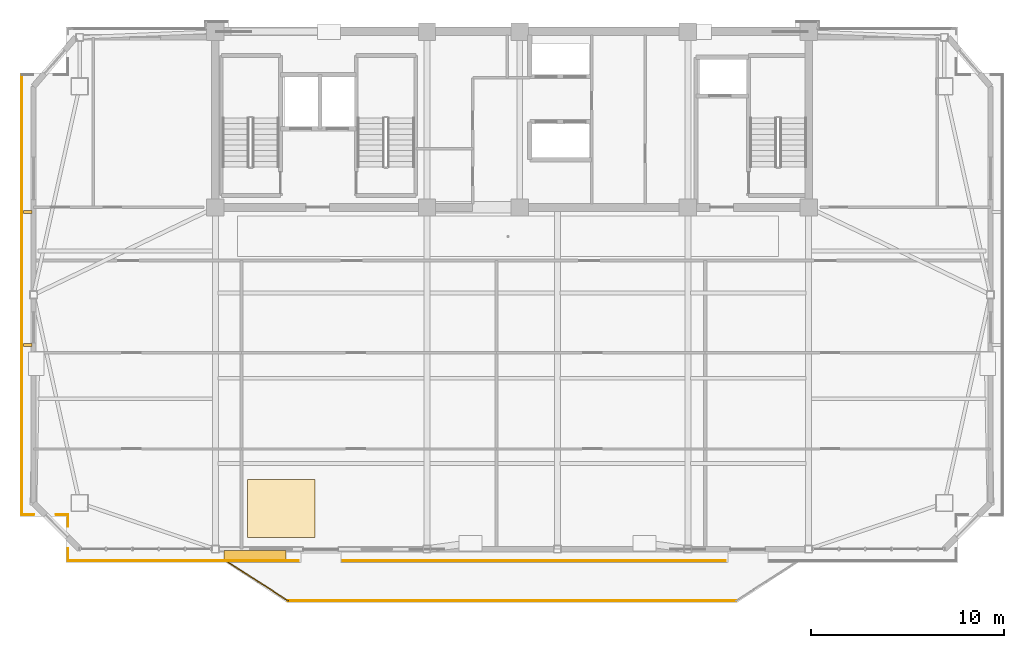
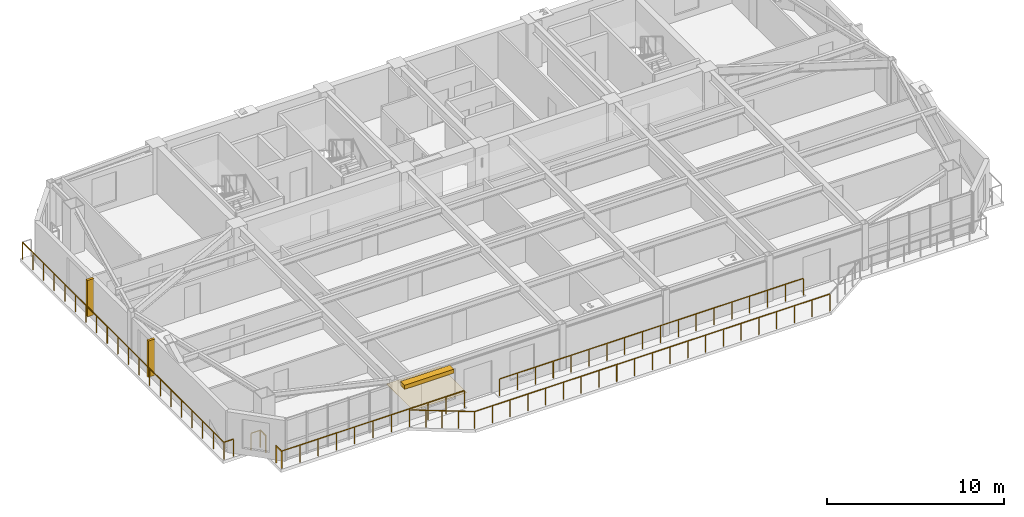
# One storey, part 10 of 13: 9 railings, 3 shading devices, 1 covering.
"""IFC4 building model written with IfcOpenShell, lengths in metres."""

from ifc_helpers import new_model, si_unit, direction, frame, origin, origin_2d, place, context, subcontext, project, spatial, polyline, rectangle, outline, extrude, source, transform, mapped, material, layer, layer_set, type_object, element, save


model = new_model("IFC4")

# Units and contexts
model_context = context("Model", 3, precision=1e-05, world=origin(), true_north=direction((0.0, 1.0)))
body_context = subcontext(model_context, "Body", "Model", "MODEL_VIEW")
ifc_project = project(units=[si_unit("LENGTHUNIT", "METRE"), si_unit("AREAUNIT", "SQUARE_METRE"), si_unit("VOLUMEUNIT", "CUBIC_METRE"), si_unit("PLANEANGLEUNIT", "RADIAN"), si_unit("MASSUNIT", "GRAM", prefix="KILO")], contexts=[model_context])

# Site, building, storey
site_placement = place(None, origin())
site = spatial("IfcSite", under=ifc_project, at=site_placement, CompositionType="ELEMENT")
building_placement = place(site_placement, origin())
building = spatial("IfcBuilding", under=site, at=building_placement, Name="Giltprow Tower", CompositionType="ELEMENT")
storey_placement = place(building_placement, frame((0.0, 0.0, 304.0)))
storey = spatial("IfcBuildingStorey", under=building, at=storey_placement, Name="L78", CompositionType="ELEMENT", Elevation=304.0)

# Covering
ifc_material_1 = material(Name="Engineered oak", Category="wood")
ifc_layer = layer(ifc_material_1, 0.02490234375, Name="Engineered oak")
ifc_layer_set = layer_set([ifc_layer], Name="Engineered oak")
covering_type = type_object("IfcCoveringType", Name="COV-FLR-TIMBER", PredefinedType="FLOORING", material=ifc_layer_set)
covering_placement = place(storey_placement, origin())
element("IfcCovering", 1, at=covering_placement, inside=storey, type_object=covering_type, Name="L78 Residence Oak Parquet Flooring", PredefinedType="FLOORING", context=body_context, shape_type="SweptSolid", body=[
    extrude(outline(polyline([(21.5, 20.3720703125), (25.0, 20.3720703125), (25.0, 23.3720703125), (21.5, 23.3720703125), (21.5, 20.3720703125)])), origin(), (0.0, 0.0, 1.0), 0.02490234375),
])

# Railings
ifc_material_2 = material(Name="Anodized bronze", Category="metal")
railing_type = type_object("IfcRailingType", Name="RAIL-BALC-GUARD-1200", PredefinedType="BALUSTRADE", material=ifc_material_2)
railing_1_placement = place(storey_placement, frame((20.52001953125, 19.072021484375, 0.0)))
element("IfcRailing", 2, at=railing_1_placement, inside=storey, type_object=railing_type, Name="L78 Waterfront Balcony Balustrade Seg 1", PredefinedType="BALUSTRADE", context=body_context, shape_type="SweptSolid", body=[
    extrude(rectangle(XDim=0.048095703125, YDim=0.048095703125, at=origin_2d()), frame((0.0, 0.0, 1.17578125), z_axis=(0.84277487735, -0.538266203757, 0.0), x_axis=(0.538266203757, 0.84277487735, 0.0)), (0.0, 0.0, 1.0), 3.678466796875),
    extrude(rectangle(XDim=0.0419921875, YDim=0.0419921875, at=origin_2d()), origin(), (0.0, 0.0, 1.0), 1.15185546875),
    extrude(rectangle(XDim=0.0419921875, YDim=0.0419921875, at=origin_2d()), frame((0.77490234375, -0.4951171875, 0.0)), (0.0, 0.0, 1.0), 1.15185546875),
    extrude(rectangle(XDim=0.0419921875, YDim=0.0419921875, at=origin_2d()), frame((1.550048828125, -0.989990234375, 0.0)), (0.0, 0.0, 1.0), 1.15185546875),
    extrude(rectangle(XDim=0.0419921875, YDim=0.0419921875, at=origin_2d()), frame((2.3251953125, -1.48486328125, 0.0)), (0.0, 0.0, 1.0), 1.15185546875),
    extrude(rectangle(XDim=0.0419921875, YDim=0.0419921875, at=origin_2d()), frame((3.10009765625, -1.97998046875, 0.0)), (0.0, 0.0, 1.0), 1.15185546875),
])
railing_2_placement = place(storey_placement, frame((23.6201171875, 17.092041015625, 0.0)))
element("IfcRailing", 3, at=railing_2_placement, inside=storey, type_object=railing_type, Name="L78 Waterfront Balcony Balustrade Seg 2", PredefinedType="BALUSTRADE", context=body_context, shape_type="SweptSolid", body=[
    extrude(rectangle(XDim=0.048095703125, YDim=0.048095703125, at=origin_2d()), frame((0.0, 0.0, 1.17578125), z_axis=(1.0, 0.0, 0.0), x_axis=(0.0, 1.0, 0.0)), (0.0, 0.0, 1.0), 23.159912109375),
    extrude(rectangle(XDim=0.0419921875, YDim=0.0419921875, at=origin_2d()), origin(), (0.0, 0.0, 1.0), 1.15185546875),
    extrude(rectangle(XDim=0.0419921875, YDim=0.0419921875, at=origin_2d()), frame((1.157958984375, 0.0, 0.0)), (0.0, 0.0, 1.0), 1.15185546875),
    extrude(rectangle(XDim=0.0419921875, YDim=0.0419921875, at=origin_2d()), frame((2.31591796875, 0.0, 0.0)), (0.0, 0.0, 1.0), 1.15185546875),
    extrude(rectangle(XDim=0.0419921875, YDim=0.0419921875, at=origin_2d()), frame((3.473876953125, 0.0, 0.0)), (0.0, 0.0, 1.0), 1.15185546875),
    extrude(rectangle(XDim=0.0419921875, YDim=0.0419921875, at=origin_2d()), frame((4.632080078125, 0.0, 0.0)), (0.0, 0.0, 1.0), 1.15185546875),
    extrude(rectangle(XDim=0.0419921875, YDim=0.0419921875, at=origin_2d()), frame((5.7900390625, 0.0, 0.0)), (0.0, 0.0, 1.0), 1.15185546875),
    extrude(rectangle(XDim=0.0419921875, YDim=0.0419921875, at=origin_2d()), frame((6.947998046875, 0.0, 0.0)), (0.0, 0.0, 1.0), 1.15185546875),
    extrude(rectangle(XDim=0.0419921875, YDim=0.0419921875, at=origin_2d()), frame((8.10595703125, 0.0, 0.0)), (0.0, 0.0, 1.0), 1.15185546875),
    extrude(rectangle(XDim=0.0419921875, YDim=0.0419921875, at=origin_2d()), frame((9.263916015625, 0.0, 0.0)), (0.0, 0.0, 1.0), 1.15185546875),
    extrude(rectangle(XDim=0.0419921875, YDim=0.0419921875, at=origin_2d()), frame((10.421875, 0.0, 0.0)), (0.0, 0.0, 1.0), 1.15185546875),
    extrude(rectangle(XDim=0.0419921875, YDim=0.0419921875, at=origin_2d()), frame((11.580078125, 0.0, 0.0)), (0.0, 0.0, 1.0), 1.15185546875),
    extrude(rectangle(XDim=0.0419921875, YDim=0.0419921875, at=origin_2d()), frame((12.738037109375, 0.0, 0.0)), (0.0, 0.0, 1.0), 1.15185546875),
    extrude(rectangle(XDim=0.0419921875, YDim=0.0419921875, at=origin_2d()), frame((13.89599609375, 0.0, 0.0)), (0.0, 0.0, 1.0), 1.15185546875),
    extrude(rectangle(XDim=0.0419921875, YDim=0.0419921875, at=origin_2d()), frame((15.053955078125, 0.0, 0.0)), (0.0, 0.0, 1.0), 1.15185546875),
    extrude(rectangle(XDim=0.0419921875, YDim=0.0419921875, at=origin_2d()), frame((16.2119140625, 0.0, 0.0)), (0.0, 0.0, 1.0), 1.15185546875),
    extrude(rectangle(XDim=0.0419921875, YDim=0.0419921875, at=origin_2d()), frame((17.369873046875, 0.0, 0.0)), (0.0, 0.0, 1.0), 1.15185546875),
    extrude(rectangle(XDim=0.0419921875, YDim=0.0419921875, at=origin_2d()), frame((18.52783203125, 0.0, 0.0)), (0.0, 0.0, 1.0), 1.15185546875),
    extrude(rectangle(XDim=0.0419921875, YDim=0.0419921875, at=origin_2d()), frame((19.68603515625, 0.0, 0.0)), (0.0, 0.0, 1.0), 1.15185546875),
    extrude(rectangle(XDim=0.0419921875, YDim=0.0419921875, at=origin_2d()), frame((20.843994140625, 0.0, 0.0)), (0.0, 0.0, 1.0), 1.15185546875),
    extrude(rectangle(XDim=0.0419921875, YDim=0.0419921875, at=origin_2d()), frame((22.001953125, 0.0, 0.0)), (0.0, 0.0, 1.0), 1.15185546875),
    extrude(rectangle(XDim=0.0419921875, YDim=0.0419921875, at=origin_2d()), frame((23.159912109375, 0.0, 0.0)), (0.0, 0.0, 1.0), 1.15185546875),
])
railing_3_placement = place(storey_placement, frame((46.25, 19.172119140625, 0.0)))
element("IfcRailing", 4, at=railing_3_placement, inside=storey, type_object=railing_type, Name="L78 Corner Apron Edge Balustrade 7", PredefinedType="BALUSTRADE", context=body_context, shape_type="SweptSolid", body=[
    extrude(rectangle(XDim=0.048095703125, YDim=0.048095703125, at=origin_2d()), frame((0.0, 0.0, 1.17578125), z_axis=(-1.0, 0.0, 0.0), x_axis=(0.0, -1.0, 0.0)), (0.0, 0.0, 1.0), 19.800048828125),
    extrude(rectangle(XDim=0.0419921875, YDim=0.0419921875, at=origin_2d()), origin(), (0.0, 0.0, 1.0), 1.15185546875),
    extrude(rectangle(XDim=0.0419921875, YDim=0.0419921875, at=origin_2d()), frame((-1.164794921875, 0.0, 0.0)), (0.0, 0.0, 1.0), 1.15185546875),
    extrude(rectangle(XDim=0.0419921875, YDim=0.0419921875, at=origin_2d()), frame((-2.329345703125, 0.0, 0.0)), (0.0, 0.0, 1.0), 1.15185546875),
    extrude(rectangle(XDim=0.0419921875, YDim=0.0419921875, at=origin_2d()), frame((-3.494140625, 0.0, 0.0)), (0.0, 0.0, 1.0), 1.15185546875),
    extrude(rectangle(XDim=0.0419921875, YDim=0.0419921875, at=origin_2d()), frame((-4.658935546875, 0.0, 0.0)), (0.0, 0.0, 1.0), 1.15185546875),
    extrude(rectangle(XDim=0.0419921875, YDim=0.0419921875, at=origin_2d()), frame((-5.823486328125, 0.0, 0.0)), (0.0, 0.0, 1.0), 1.15185546875),
    extrude(rectangle(XDim=0.0419921875, YDim=0.0419921875, at=origin_2d()), frame((-6.98828125, 0.0, 0.0)), (0.0, 0.0, 1.0), 1.15185546875),
    extrude(rectangle(XDim=0.0419921875, YDim=0.0419921875, at=origin_2d()), frame((-8.153076171875, 0.0, 0.0)), (0.0, 0.0, 1.0), 1.15185546875),
    extrude(rectangle(XDim=0.0419921875, YDim=0.0419921875, at=origin_2d()), frame((-9.317626953125, 0.0, 0.0)), (0.0, 0.0, 1.0), 1.15185546875),
    extrude(rectangle(XDim=0.0419921875, YDim=0.0419921875, at=origin_2d()), frame((-10.482421875, 0.0, 0.0)), (0.0, 0.0, 1.0), 1.15185546875),
    extrude(rectangle(XDim=0.0419921875, YDim=0.0419921875, at=origin_2d()), frame((-11.64697265625, 0.0, 0.0)), (0.0, 0.0, 1.0), 1.15185546875),
    extrude(rectangle(XDim=0.0419921875, YDim=0.0419921875, at=origin_2d()), frame((-12.811767578125, 0.0, 0.0)), (0.0, 0.0, 1.0), 1.15185546875),
    extrude(rectangle(XDim=0.0419921875, YDim=0.0419921875, at=origin_2d()), frame((-13.9765625, 0.0, 0.0)), (0.0, 0.0, 1.0), 1.15185546875),
    extrude(rectangle(XDim=0.0419921875, YDim=0.0419921875, at=origin_2d()), frame((-15.14111328125, 0.0, 0.0)), (0.0, 0.0, 1.0), 1.15185546875),
    extrude(rectangle(XDim=0.0419921875, YDim=0.0419921875, at=origin_2d()), frame((-16.305908203125, 0.0, 0.0)), (0.0, 0.0, 1.0), 1.15185546875),
    extrude(rectangle(XDim=0.0419921875, YDim=0.0419921875, at=origin_2d()), frame((-17.470703125, 0.0, 0.0)), (0.0, 0.0, 1.0), 1.15185546875),
    extrude(rectangle(XDim=0.0419921875, YDim=0.0419921875, at=origin_2d()), frame((-18.63525390625, 0.0, 0.0)), (0.0, 0.0, 1.0), 1.15185546875),
    extrude(rectangle(XDim=0.0419921875, YDim=0.0419921875, at=origin_2d()), frame((-19.800048828125, 0.0, 0.0)), (0.0, 0.0, 1.0), 1.15185546875),
])
railing_4_placement = place(storey_placement, frame((24.14990234375, 19.172119140625, 0.0)))
element("IfcRailing", 5, at=railing_4_placement, inside=storey, type_object=railing_type, Name="L78 Corner Apron Edge Balustrade 8", PredefinedType="BALUSTRADE", context=body_context, shape_type="SweptSolid", body=[
    extrude(rectangle(XDim=0.048095703125, YDim=0.048095703125, at=origin_2d()), frame((0.0, 0.0, 1.17578125), z_axis=(-1.0, 0.0, 0.0), x_axis=(0.0, -1.0, 0.0)), (0.0, 0.0, 1.0), 11.9248046875),
    extrude(rectangle(XDim=0.0419921875, YDim=0.0419921875, at=origin_2d()), origin(), (0.0, 0.0, 1.0), 1.15185546875),
    extrude(rectangle(XDim=0.0419921875, YDim=0.0419921875, at=origin_2d()), frame((-1.1923828125, 0.0, 0.0)), (0.0, 0.0, 1.0), 1.15185546875),
    extrude(rectangle(XDim=0.0419921875, YDim=0.0419921875, at=origin_2d()), frame((-2.385009765625, 0.0, 0.0)), (0.0, 0.0, 1.0), 1.15185546875),
    extrude(rectangle(XDim=0.0419921875, YDim=0.0419921875, at=origin_2d()), frame((-3.577392578125, 0.0, 0.0)), (0.0, 0.0, 1.0), 1.15185546875),
    extrude(rectangle(XDim=0.0419921875, YDim=0.0419921875, at=origin_2d()), frame((-4.77001953125, 0.0, 0.0)), (0.0, 0.0, 1.0), 1.15185546875),
    extrude(rectangle(XDim=0.0419921875, YDim=0.0419921875, at=origin_2d()), frame((-5.96240234375, 0.0, 0.0)), (0.0, 0.0, 1.0), 1.15185546875),
    extrude(rectangle(XDim=0.0419921875, YDim=0.0419921875, at=origin_2d()), frame((-7.15478515625, 0.0, 0.0)), (0.0, 0.0, 1.0), 1.15185546875),
    extrude(rectangle(XDim=0.0419921875, YDim=0.0419921875, at=origin_2d()), frame((-8.347412109375, 0.0, 0.0)), (0.0, 0.0, 1.0), 1.15185546875),
    extrude(rectangle(XDim=0.0419921875, YDim=0.0419921875, at=origin_2d()), frame((-9.539794921875, 0.0, 0.0)), (0.0, 0.0, 1.0), 1.15185546875),
    extrude(rectangle(XDim=0.0419921875, YDim=0.0419921875, at=origin_2d()), frame((-10.732421875, 0.0, 0.0)), (0.0, 0.0, 1.0), 1.15185546875),
    extrude(rectangle(XDim=0.0419921875, YDim=0.0419921875, at=origin_2d()), frame((-11.9248046875, 0.0, 0.0)), (0.0, 0.0, 1.0), 1.15185546875),
])
railing_5_placement = place(storey_placement, frame((12.22509765625, 19.172119140625, 0.0)))
element("IfcRailing", 6, at=railing_5_placement, inside=storey, type_object=railing_type, Name="L78 Corner Apron Edge Balustrade 9", PredefinedType="BALUSTRADE", context=body_context, shape_type="SweptSolid", body=[
    extrude(rectangle(XDim=0.048095703125, YDim=0.048095703125, at=origin_2d()), frame((0.0, 0.0, 1.17578125), z_axis=(0.0, 1.0, 0.0), x_axis=(-1.0, 0.0, 0.0)), (0.0, 0.0, 1.0), 0.619873046875),
    extrude(rectangle(XDim=0.0419921875, YDim=0.0419921875, at=origin_2d()), origin(), (0.0, 0.0, 1.0), 1.15185546875),
    extrude(rectangle(XDim=0.0419921875, YDim=0.0419921875, at=origin_2d()), frame((0.0, 0.619873046875, 0.0)), (0.0, 0.0, 1.0), 1.15185546875),
])
railing_6_placement = place(storey_placement, frame((12.22509765625, 20.951904296875, 0.0)))
element("IfcRailing", 7, at=railing_6_placement, inside=storey, type_object=railing_type, Name="L78 Corner Apron Edge Balustrade 10", PredefinedType="BALUSTRADE", context=body_context, shape_type="SweptSolid", body=[
    extrude(rectangle(XDim=0.048095703125, YDim=0.048095703125, at=origin_2d()), frame((0.0, 0.0, 1.17578125), z_axis=(0.0, 1.0, 0.0), x_axis=(-1.0, 0.0, 0.0)), (0.0, 0.0, 1.0), 0.60498046875),
    extrude(rectangle(XDim=0.0419921875, YDim=0.0419921875, at=origin_2d()), origin(), (0.0, 0.0, 1.0), 1.15185546875),
    extrude(rectangle(XDim=0.0419921875, YDim=0.0419921875, at=origin_2d()), frame((0.0, 0.60498046875, 0.0)), (0.0, 0.0, 1.0), 1.15185546875),
])
railing_7_placement = place(storey_placement, frame((12.22509765625, 21.556884765625, 0.0)))
element("IfcRailing", 8, at=railing_7_placement, inside=storey, type_object=railing_type, Name="L78 Corner Apron Edge Balustrade 11", PredefinedType="BALUSTRADE", context=body_context, shape_type="SweptSolid", body=[
    extrude(rectangle(XDim=0.048095703125, YDim=0.048095703125, at=origin_2d()), frame((0.0, 0.0, 1.17578125), z_axis=(-1.0, 0.0, 0.0), x_axis=(0.0, -1.0, 0.0)), (0.0, 0.0, 1.0), 0.60498046875),
    extrude(rectangle(XDim=0.0419921875, YDim=0.0419921875, at=origin_2d()), origin(), (0.0, 0.0, 1.0), 1.15185546875),
    extrude(rectangle(XDim=0.0419921875, YDim=0.0419921875, at=origin_2d()), frame((-0.60498046875, 0.0, 0.0)), (0.0, 0.0, 1.0), 1.15185546875),
])
railing_8_placement = place(storey_placement, frame((10.4599609375, 21.556884765625, 0.0)))
element("IfcRailing", 9, at=railing_8_placement, inside=storey, type_object=railing_type, Name="L78 Corner Apron Edge Balustrade 12", PredefinedType="BALUSTRADE", context=body_context, shape_type="SweptSolid", body=[
    extrude(rectangle(XDim=0.048095703125, YDim=0.048095703125, at=origin_2d()), frame((0.0, 0.0, 1.17578125), z_axis=(-1.0, 0.0, 0.0), x_axis=(0.0, -1.0, 0.0)), (0.0, 0.0, 1.0), 0.619873046875),
    extrude(rectangle(XDim=0.0419921875, YDim=0.0419921875, at=origin_2d()), origin(), (0.0, 0.0, 1.0), 1.15185546875),
    extrude(rectangle(XDim=0.0419921875, YDim=0.0419921875, at=origin_2d()), frame((-0.619873046875, 0.0, 0.0)), (0.0, 0.0, 1.0), 1.15185546875),
])
railing_9_placement = place(storey_placement, frame((9.840087890625, 21.556884765625, 0.0)))
element("IfcRailing", 10, at=railing_9_placement, inside=storey, type_object=railing_type, Name="L78 Corner Apron Edge Balustrade 13", PredefinedType="BALUSTRADE", context=body_context, shape_type="SweptSolid", body=[
    extrude(rectangle(XDim=0.048095703125, YDim=0.048095703125, at=origin_2d()), frame((0.0, 0.0, 1.17578125), z_axis=(0.0, 1.0, 0.0), x_axis=(-1.0, 0.0, 0.0)), (0.0, 0.0, 1.0), 22.758056640625),
    extrude(rectangle(XDim=0.0419921875, YDim=0.0419921875, at=origin_2d()), origin(), (0.0, 0.0, 1.0), 1.15185546875),
    extrude(rectangle(XDim=0.0419921875, YDim=0.0419921875, at=origin_2d()), frame((0.0, 1.19775390625, 0.0)), (0.0, 0.0, 1.0), 1.15185546875),
    extrude(rectangle(XDim=0.0419921875, YDim=0.0419921875, at=origin_2d()), frame((0.0, 2.3955078125, 0.0)), (0.0, 0.0, 1.0), 1.15185546875),
    extrude(rectangle(XDim=0.0419921875, YDim=0.0419921875, at=origin_2d()), frame((0.0, 3.59326171875, 0.0)), (0.0, 0.0, 1.0), 1.15185546875),
    extrude(rectangle(XDim=0.0419921875, YDim=0.0419921875, at=origin_2d()), frame((0.0, 4.791259765625, 0.0)), (0.0, 0.0, 1.0), 1.15185546875),
    extrude(rectangle(XDim=0.0419921875, YDim=0.0419921875, at=origin_2d()), frame((0.0, 5.989013671875, 0.0)), (0.0, 0.0, 1.0), 1.15185546875),
    extrude(rectangle(XDim=0.0419921875, YDim=0.0419921875, at=origin_2d()), frame((0.0, 7.186767578125, 0.0)), (0.0, 0.0, 1.0), 1.15185546875),
    extrude(rectangle(XDim=0.0419921875, YDim=0.0419921875, at=origin_2d()), frame((0.0, 8.384521484375, 0.0)), (0.0, 0.0, 1.0), 1.15185546875),
    extrude(rectangle(XDim=0.0419921875, YDim=0.0419921875, at=origin_2d()), frame((0.0, 9.582275390625, 0.0)), (0.0, 0.0, 1.0), 1.15185546875),
    extrude(rectangle(XDim=0.0419921875, YDim=0.0419921875, at=origin_2d()), frame((0.0, 10.780029296875, 0.0)), (0.0, 0.0, 1.0), 1.15185546875),
    extrude(rectangle(XDim=0.0419921875, YDim=0.0419921875, at=origin_2d()), frame((0.0, 11.97802734375, 0.0)), (0.0, 0.0, 1.0), 1.15185546875),
    extrude(rectangle(XDim=0.0419921875, YDim=0.0419921875, at=origin_2d()), frame((0.0, 13.17578125, 0.0)), (0.0, 0.0, 1.0), 1.15185546875),
    extrude(rectangle(XDim=0.0419921875, YDim=0.0419921875, at=origin_2d()), frame((0.0, 14.37353515625, 0.0)), (0.0, 0.0, 1.0), 1.15185546875),
    extrude(rectangle(XDim=0.0419921875, YDim=0.0419921875, at=origin_2d()), frame((0.0, 15.5712890625, 0.0)), (0.0, 0.0, 1.0), 1.15185546875),
    extrude(rectangle(XDim=0.0419921875, YDim=0.0419921875, at=origin_2d()), frame((0.0, 16.76904296875, 0.0)), (0.0, 0.0, 1.0), 1.15185546875),
    extrude(rectangle(XDim=0.0419921875, YDim=0.0419921875, at=origin_2d()), frame((0.0, 17.966796875, 0.0)), (0.0, 0.0, 1.0), 1.15185546875),
    extrude(rectangle(XDim=0.0419921875, YDim=0.0419921875, at=origin_2d()), frame((0.0, 19.164794921875, 0.0)), (0.0, 0.0, 1.0), 1.15185546875),
    extrude(rectangle(XDim=0.0419921875, YDim=0.0419921875, at=origin_2d()), frame((0.0, 20.362548828125, 0.0)), (0.0, 0.0, 1.0), 1.15185546875),
    extrude(rectangle(XDim=0.0419921875, YDim=0.0419921875, at=origin_2d()), frame((0.0, 21.560302734375, 0.0)), (0.0, 0.0, 1.0), 1.15185546875),
    extrude(rectangle(XDim=0.0419921875, YDim=0.0419921875, at=origin_2d()), frame((0.0, 22.758056640625, 0.0)), (0.0, 0.0, 1.0), 1.15185546875),
])

# Shading devices
shading_device_type_1 = type_object("IfcShadingDeviceType", Name="SHD-FIN-420", PredefinedType="USERDEFINED", material=ifc_material_2)
shared_shape_1 = source(origin(), body_context, "Body", "SweptSolid", [
    extrude(rectangle(XDim=0.419921875, YDim=0.159912109375, at=origin_2d()), origin(), (0.0, 0.0, 1.0), 2.5),
])
for number, where, z_axis, x_axis, name in (
    (11, (10.139892578125, 30.326904296875, 0.35009765625), (0.0, 0.0, 1.0), (1.0, 0.0, 0.0), "L78 W Bronze Vertical Fin 1-1"),
    (12, (10.139892578125, 37.2060546875, 0.35009765625), (0.0, 0.0, 1.0), (1.0, 0.0, 0.0), "L78 W Bronze Vertical Fin 2-1"),
):
    element("IfcShadingDevice", number, at=place(storey_placement, frame(where, z_axis=z_axis, x_axis=x_axis)), inside=storey, type_object=shading_device_type_1, Name=name, ObjectType="FIN", PredefinedType="USERDEFINED", context=body_context, shape_type="MappedRepresentation", body=[
        mapped(shared_shape_1, transform((0.0, 0.0, 0.0), x_axis=(1.0, 0.0, 0.0), y_axis=(0.0, 1.0, 0.0), z_axis=(0.0, 0.0, 1.0), scale=1.0)),
    ])
shading_device_type_2 = type_object("IfcShadingDeviceType", Name="SHD-LOUVRE-320", PredefinedType="JALOUSIE", material=ifc_material_2)
shared_shape_2 = source(origin(), body_context, "Body", "SweptSolid", [
    extrude(rectangle(XDim=3.199951171875, YDim=0.449951171875, at=origin_2d()), origin(), (0.0, 0.0, 1.0), 0.280029296875),
])
shading_device_placement = place(storey_placement, frame((21.89990234375, 19.471923828125, 2.56005859375), z_axis=(0.0, 0.0, 1.0), x_axis=(1.0, 0.0, 0.0)))
element("IfcShadingDevice", 13, at=shading_device_placement, inside=storey, type_object=shading_device_type_2, Name="L78 Bronze Sunshade Louvre S-2", PredefinedType="JALOUSIE", context=body_context, shape_type="MappedRepresentation", body=[
    mapped(shared_shape_2, transform((0.0, 0.0, 0.0), x_axis=(1.0, 0.0, 0.0), y_axis=(0.0, 1.0, 0.0), z_axis=(0.0, 0.0, 1.0), scale=1.0)),
])

save(model, "model.ifc")
